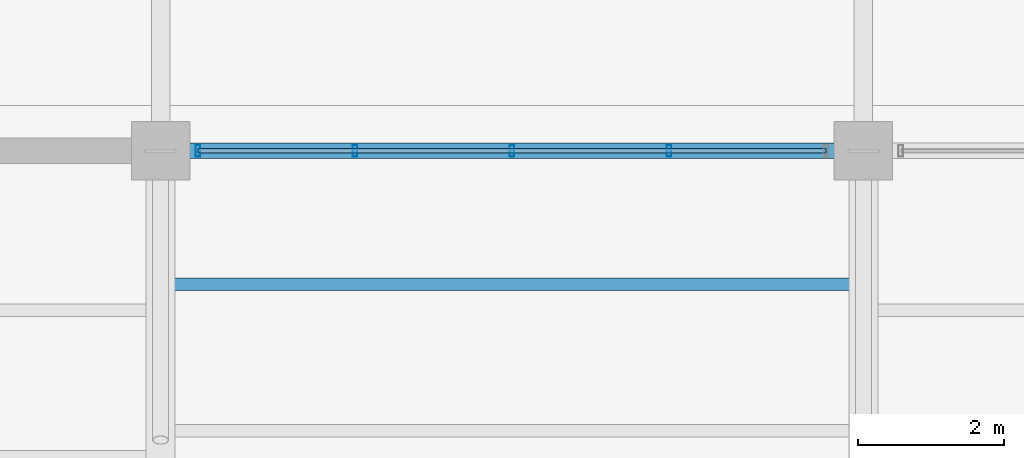
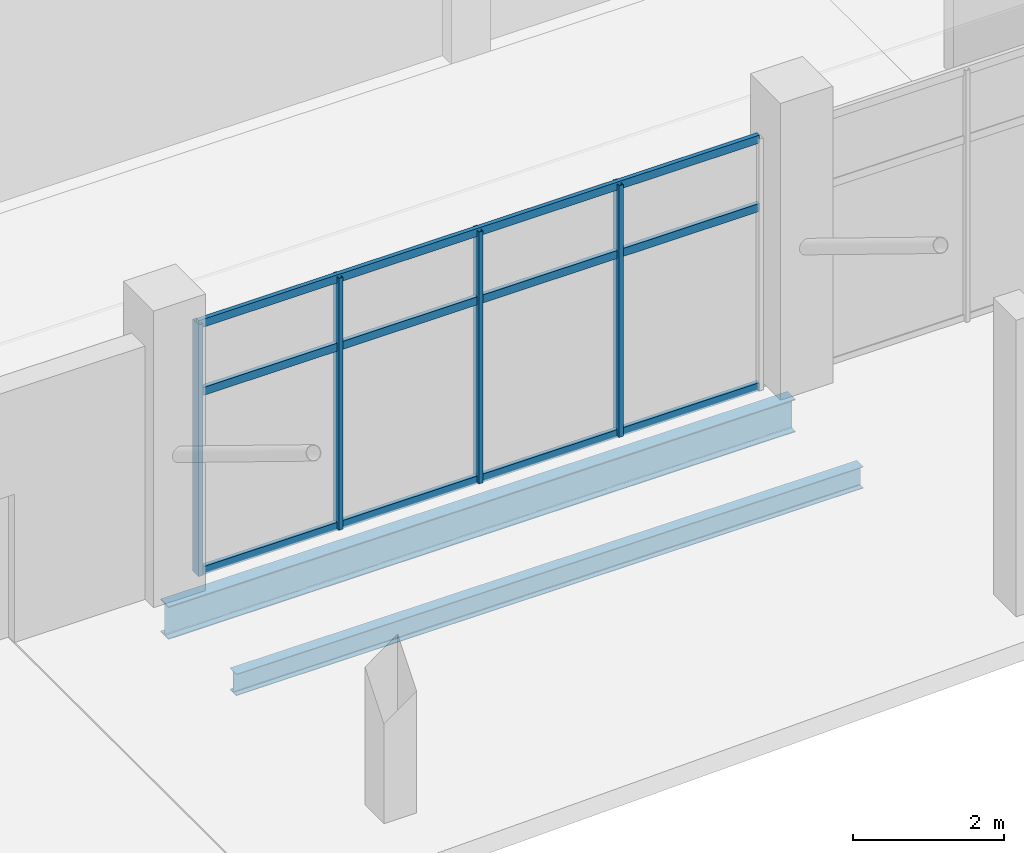
# One storey, part 42 of 116: 7 members, 2 beams, 1 element without a shape of its own.
"""IFC4 building model written with IfcOpenShell, lengths in metres."""

from ifc_helpers import new_model, si_unit, direction, frame, origin, origin_2d, place, context, subcontext, project, spatial, hollow_rectangle, i_section, extrude, material, layer, layer_set, material_profile, profile_set, type_object, element, aggregate, save


model = new_model("IFC4")

# Units and contexts
model_context = context("Model", 3, precision=1e-05, world=origin(), true_north=direction((0.0, 1.0)))
body_context = subcontext(model_context, "Body", "Model", "MODEL_VIEW")
ifc_project = project(units=[si_unit("LENGTHUNIT", "METRE"), si_unit("AREAUNIT", "SQUARE_METRE"), si_unit("VOLUMEUNIT", "CUBIC_METRE"), si_unit("PLANEANGLEUNIT", "RADIAN"), si_unit("MASSUNIT", "GRAM", prefix="KILO")], contexts=[model_context])

# Site, building, storey
site_placement = place(None, origin())
site = spatial("IfcSite", under=ifc_project, at=site_placement, CompositionType="ELEMENT")
building_placement = place(site_placement, origin())
building = spatial("IfcBuilding", under=site, at=building_placement, Name="Chalmorin Arch Market", CompositionType="ELEMENT")
storey_placement = place(building_placement, origin())
storey = spatial("IfcBuildingStorey", under=building, at=storey_placement, Name="L00", CompositionType="ELEMENT", Elevation=0.0)

# Curtain wall, members
ifc_material_1 = material(Name="Aluminium 6063-T6", Category="aluminium")
ifc_layer = layer(ifc_material_1, 0.159912109375)
ifc_layer_set = layer_set([ifc_layer], Name="Aluminium 6063-T6")
curtain_wall_type = type_object("IfcCurtainWallType", Name="RiverfrontStorefrontCurtainWall-CW2-8580x4080", PredefinedType="NOTDEFINED", material=ifc_layer_set)
curtain_wall_placement = place(storey_placement, origin())
curtain_wall = element("IfcCurtainWall", 1, at=curtain_wall_placement, inside=storey, type_object=curtain_wall_type, Name="CW-02-016", PredefinedType="NOTDEFINED")
ifc_material_profile_1 = material_profile(ifc_material_1, hollow_rectangle(XDim=0.06494140625, YDim=0.159912109375, WallThickness=0.00390625, at=origin_2d()), Name="ALU65X160X4")
ifc_profile_set_1 = profile_set([ifc_material_profile_1], Name="Aluminium 6063-T6")
member_type_1 = type_object("IfcMemberType", Name="CurtainWallMullion-65x160", PredefinedType="MULLION", material=ifc_profile_set_1)
member_1_placement = place(storey_placement, frame((96.510009765625, 6.0, 0.0), z_axis=(0.0, 0.0, 1.0), x_axis=(1.0, 0.0, 0.0)))
member_1 = element("IfcMember", 2, at=member_1_placement, type_object=member_type_1, Name="ML-016-01", PredefinedType="MULLION", context=body_context, shape_type="SweptSolid", body=[
    extrude(hollow_rectangle(XDim=0.06494140625, YDim=0.159912109375, WallThickness=0.00390625, at=origin_2d()), origin(), (0.0, 0.0, 1.0), 4.075927734375),
])
member_2_placement = place(storey_placement, frame((98.655029296875, 6.0, 0.0), z_axis=(0.0, 0.0, 1.0), x_axis=(1.0, 0.0, 0.0)))
member_2 = element("IfcMember", 3, at=member_2_placement, type_object=member_type_1, Name="ML-016-02", PredefinedType="MULLION", context=body_context, shape_type="SweptSolid", body=[
    extrude(hollow_rectangle(XDim=0.06494140625, YDim=0.159912109375, WallThickness=0.00390625, at=origin_2d()), origin(), (0.0, 0.0, 1.0), 4.075927734375),
])
member_3_placement = place(storey_placement, frame((100.800048828125, 6.0, 0.0), z_axis=(0.0, 0.0, 1.0), x_axis=(1.0, 0.0, 0.0)))
member_3 = element("IfcMember", 4, at=member_3_placement, type_object=member_type_1, Name="ML-016-03", PredefinedType="MULLION", context=body_context, shape_type="SweptSolid", body=[
    extrude(hollow_rectangle(XDim=0.06494140625, YDim=0.159912109375, WallThickness=0.00390625, at=origin_2d()), origin(), (0.0, 0.0, 1.0), 4.075927734375),
])
member_4_placement = place(storey_placement, frame((102.945068359375, 6.0, 0.0), z_axis=(0.0, 0.0, 1.0), x_axis=(1.0, 0.0, 0.0)))
member_4 = element("IfcMember", 5, at=member_4_placement, type_object=member_type_1, Name="ML-016-04", PredefinedType="MULLION", context=body_context, shape_type="SweptSolid", body=[
    extrude(hollow_rectangle(XDim=0.06494140625, YDim=0.159912109375, WallThickness=0.00390625, at=origin_2d()), origin(), (0.0, 0.0, 1.0), 4.075927734375),
])
ifc_material_profile_2 = material_profile(ifc_material_1, hollow_rectangle(XDim=0.06494140625, YDim=0.1298828125, WallThickness=0.00390625, at=origin_2d()), Name="ALU65X130X4")
ifc_profile_set_2 = profile_set([ifc_material_profile_2], Name="Aluminium 6063-T6")
member_type_2 = type_object("IfcMemberType", Name="CurtainWallTransom-65x130", PredefinedType="USERDEFINED", material=ifc_profile_set_2)
member_5_placement = place(storey_placement, frame((96.510009765625, 6.0, 0.034912109375), z_axis=(1.0, 0.0, 0.0), x_axis=(0.0, 1.0, 0.0)))
member_5 = element("IfcMember", 6, at=member_5_placement, type_object=member_type_2, Name="TR-016-01", ObjectType="TRANSOM", PredefinedType="USERDEFINED", context=body_context, shape_type="SweptSolid", body=[
    extrude(hollow_rectangle(XDim=0.06494140625, YDim=0.1298828125, WallThickness=0.00390625, at=origin_2d()), origin(), (0.0, 0.0, 1.0), 8.580078125),
])
member_6_placement = place(storey_placement, frame((96.510009765625, 6.0, 2.934814453125), z_axis=(1.0, 0.0, 0.0), x_axis=(0.0, 1.0, 0.0)))
member_6 = element("IfcMember", 7, at=member_6_placement, type_object=member_type_2, Name="TR-016-02", ObjectType="TRANSOM", PredefinedType="USERDEFINED", context=body_context, shape_type="SweptSolid", body=[
    extrude(hollow_rectangle(XDim=0.06494140625, YDim=0.1298828125, WallThickness=0.00390625, at=origin_2d()), origin(), (0.0, 0.0, 1.0), 8.580078125),
])
member_7_placement = place(storey_placement, frame((96.510009765625, 6.0, 4.041015625), z_axis=(1.0, 0.0, 0.0), x_axis=(0.0, 1.0, 0.0)))
member_7 = element("IfcMember", 8, at=member_7_placement, type_object=member_type_2, Name="TR-016-03", ObjectType="TRANSOM", PredefinedType="USERDEFINED", context=body_context, shape_type="SweptSolid", body=[
    extrude(hollow_rectangle(XDim=0.06494140625, YDim=0.1298828125, WallThickness=0.00390625, at=origin_2d()), origin(), (0.0, 0.0, 1.0), 8.580078125),
])
aggregate(curtain_wall, [member_1, member_2, member_3, member_4, member_5, member_6, member_7])

# Beams
ifc_material_2 = material(Name="Steel A992 Grade 50", Category="steel")
ifc_material_profile_3 = material_profile(ifc_material_2, i_section(OverallWidth=0.208984375, OverallDepth=0.532958984375, WebThickness=0.01025390625, FlangeThickness=0.015625, FilletRadius=0.02197265625, at=origin_2d()), Name="W21X62")
ifc_profile_set_3 = profile_set([ifc_material_profile_3], Name="Steel A992 Grade 50")
beam_type_1 = type_object("IfcBeamType", Name="PerimeterSpandrelBeam-W21X62", PredefinedType="SPANDREL", material=ifc_profile_set_3)
beam_1_placement = place(storey_placement, frame((96.0, 6.0, -0.568603515625), z_axis=(1.0, 0.0, 0.0), x_axis=(0.0, 1.0, 0.0)))
element("IfcBeam", 9, at=beam_1_placement, inside=storey, type_object=beam_type_1, Name="SP-W21-0072", PredefinedType="SPANDREL", context=body_context, shape_type="SweptSolid", body=[
    extrude(i_section(OverallWidth=0.208984375, OverallDepth=0.532958984375, WebThickness=0.01025390625, FlangeThickness=0.015625, FilletRadius=0.02197265625, at=origin_2d()), origin(), (0.0, 0.0, 1.0), 9.60009765625),
])
ifc_material_profile_4 = material_profile(ifc_material_2, i_section(OverallWidth=0.1708984375, OverallDepth=0.35107421875, WebThickness=0.0068359375, FlangeThickness=0.009765625, FilletRadius=0.014892578125, at=origin_2d()), Name="W14X30")
ifc_profile_set_4 = profile_set([ifc_material_profile_4], Name="Steel A992 Grade 50")
beam_type_2 = type_object("IfcBeamType", Name="SecondaryFloorJoist-W14X30", PredefinedType="JOIST", material=ifc_profile_set_4)
beam_2_placement = place(storey_placement, frame((96.0, 4.179931640625, -0.4775390625), z_axis=(1.0, 0.0, 0.0), x_axis=(0.0, 1.0, 0.0)))
element("IfcBeam", 10, at=beam_2_placement, inside=storey, type_object=beam_type_2, Name="BJ-W14-0595", PredefinedType="JOIST", context=body_context, shape_type="SweptSolid", body=[
    extrude(i_section(OverallWidth=0.1708984375, OverallDepth=0.35107421875, WebThickness=0.0068359375, FlangeThickness=0.009765625, FilletRadius=0.014892578125, at=origin_2d()), origin(), (0.0, 0.0, 1.0), 9.60009765625),
])

save(model, "model.ifc")
